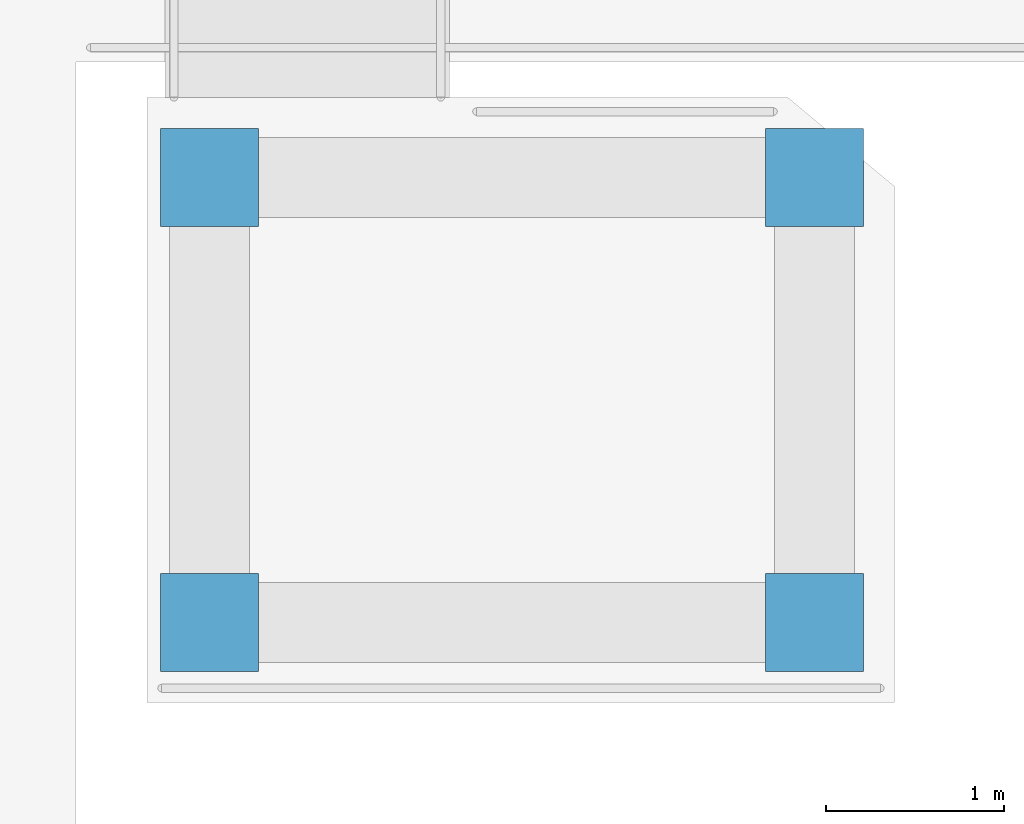
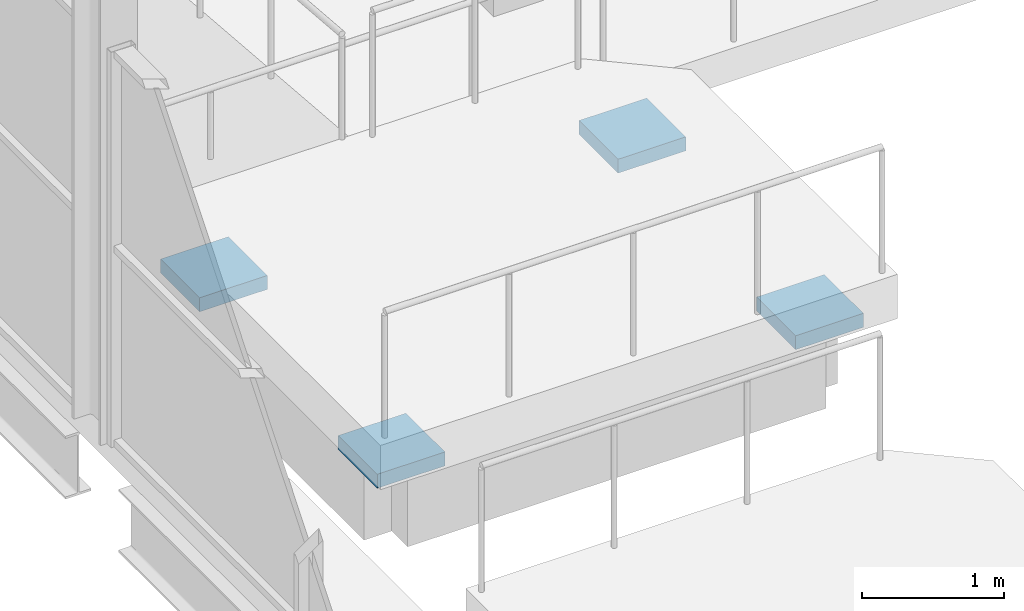
# One storey, part 17 of 161: 4 columns.
"""IFC4 building model written with IfcOpenShell, lengths in metres."""

from ifc_helpers import new_model, si_unit, direction, frame, origin, origin_2d, place, context, subcontext, project, spatial, rectangle, extrude, material, material_profile, profile_set, type_object, element, save


model = new_model("IFC4")

# Units and contexts
model_context = context("Model", 3, precision=1e-05, world=origin(), true_north=direction((0.0, 1.0)))
body_context = subcontext(model_context, "Body", "Model", "MODEL_VIEW")
ifc_project = project(units=[si_unit("LENGTHUNIT", "METRE"), si_unit("AREAUNIT", "SQUARE_METRE"), si_unit("VOLUMEUNIT", "CUBIC_METRE"), si_unit("PLANEANGLEUNIT", "RADIAN"), si_unit("MASSUNIT", "GRAM", prefix="KILO"), si_unit("THERMODYNAMICTEMPERATUREUNIT", "KELVIN")], contexts=[model_context])

# Site, building, storey
site_placement = place(None, origin())
site = spatial("IfcSite", under=ifc_project, at=site_placement, CompositionType="ELEMENT")
building_placement = place(site_placement, origin())
building = spatial("IfcBuilding", under=site, at=building_placement, Name="Nduvali Passage Aquatics Centre", CompositionType="ELEMENT")
storey_placement = place(building_placement, frame((0.0, 0.0, 4.800048828125)))
storey = spatial("IfcBuildingStorey", under=building, at=storey_placement, Name="L01", CompositionType="ELEMENT", Elevation=4.800048828125)

# Columns
ifc_material = material(Name="Concrete C40/50", Category="concrete")
ifc_material_profile = material_profile(ifc_material, rectangle(XDim=0.550048828125, YDim=0.550048828125, at=origin_2d()), Name="RC 550x550")
ifc_profile_set = profile_set([ifc_material_profile], Name="Concrete C40/50")
column_type = type_object("IfcColumnType", Name="STR-COL-RC550", PredefinedType="COLUMN", material=ifc_profile_set)
for number, where, z_axis, x_axis, name in (
    (1, (1.550048828125, 57.449951171875, 0.0), (0.0, 0.0, 1.0), (1.0, 0.0, 0.0), "L01 Column C4 (1.6, 57.5)"),
    (2, (1.550048828125, 59.949951171875, 0.0), (0.0, 0.0, 1.0), (1.0, 0.0, 0.0), "L01 Column C4 (1.6, 60.0)"),
    (3, (4.949951171875, 57.449951171875, 0.0), (0.0, 0.0, 1.0), (1.0, 0.0, 0.0), "L01 Column C4 (5.0, 57.5)"),
    (4, (4.949951171875, 59.949951171875, 0.0), (0.0, 0.0, 1.0), (1.0, 0.0, 0.0), "L01 Column C4 (5.0, 60.0)"),
):
    element("IfcColumn", number, at=place(storey_placement, frame(where, z_axis=z_axis, x_axis=x_axis)), inside=storey, type_object=column_type, Name=name, PredefinedType="COLUMN", context=body_context, shape_type="SweptSolid", body=[
        extrude(rectangle(XDim=0.550048828125, YDim=0.550048828125, at=origin_2d()), origin(), (0.0, 0.0, 1.0), 0.119873046875),
    ])

save(model, "model.ifc")
